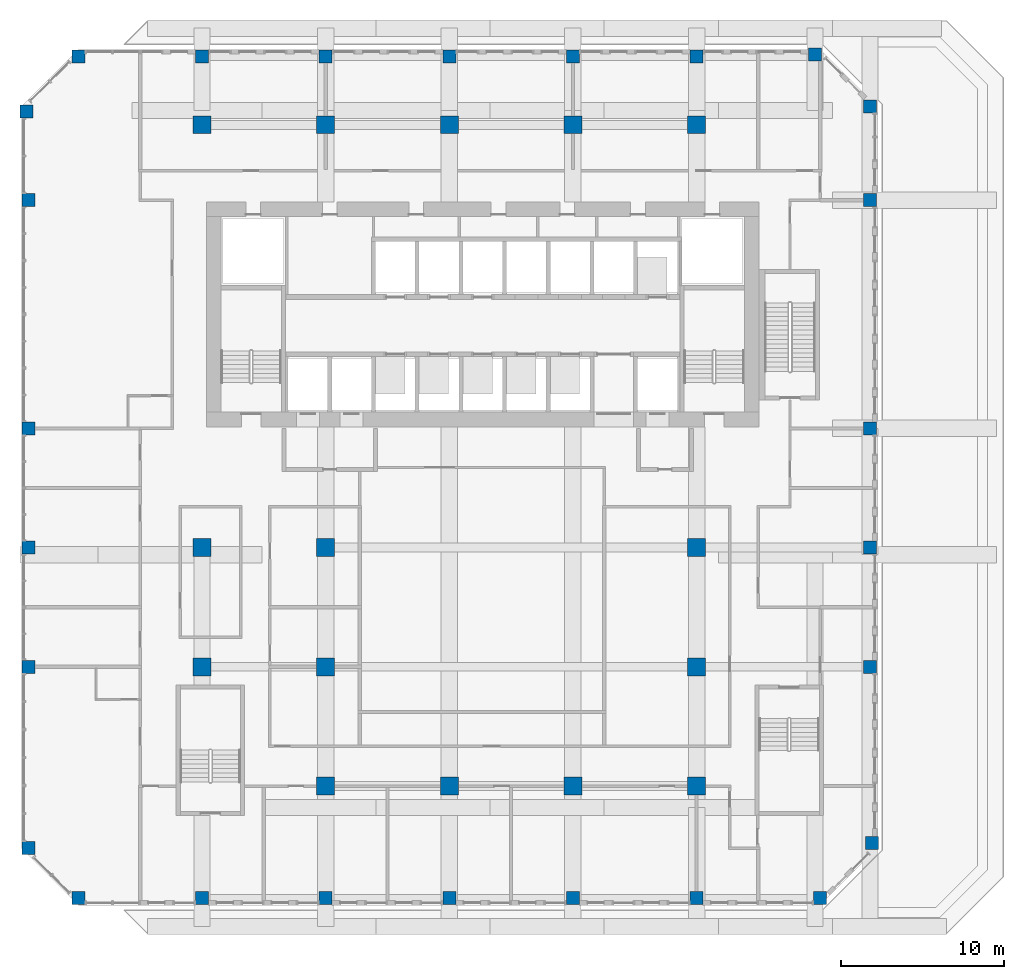
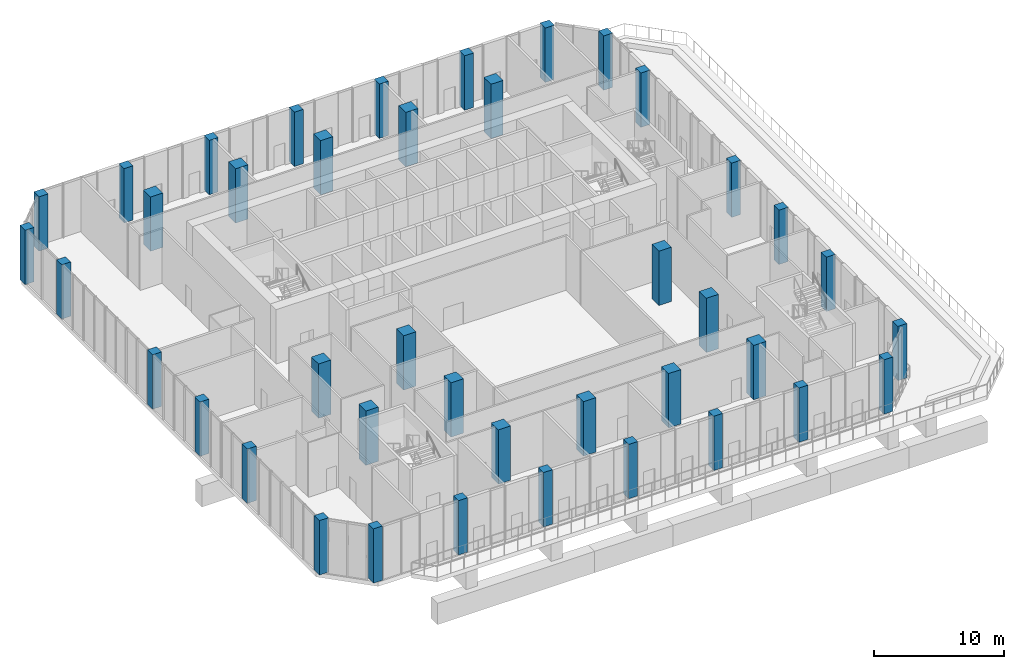
# One storey, part 1 of 19: 41 columns.
"""IFC4 building model written with IfcOpenShell, lengths in metres."""

from ifc_helpers import new_model, si_unit, direction, frame, origin, origin_2d, place, context, subcontext, project, spatial, rectangle, extrude, source, transform, mapped, material, material_profile, profile_set, type_object, element, save


model = new_model("IFC4")

# Units and contexts
model_context = context("Model", 3, precision=1e-05, world=origin(), true_north=direction((0.0, 1.0)))
body_context = subcontext(model_context, "Body", "Model", "MODEL_VIEW")
ifc_project = project(units=[si_unit("LENGTHUNIT", "METRE"), si_unit("AREAUNIT", "SQUARE_METRE"), si_unit("VOLUMEUNIT", "CUBIC_METRE"), si_unit("PLANEANGLEUNIT", "RADIAN"), si_unit("MASSUNIT", "GRAM", prefix="KILO")], contexts=[model_context])

# Site, building, storey
site_placement = place(None, origin())
site = spatial("IfcSite", under=ifc_project, at=site_placement, CompositionType="ELEMENT")
building_placement = place(site_placement, origin())
building = spatial("IfcBuilding", under=site, at=building_placement, Name="Kilnfold Tower and Market Hall", CompositionType="ELEMENT")
storey_placement = place(building_placement, frame((0.0, 0.0, 138.5)))
storey = spatial("IfcBuildingStorey", under=building, at=storey_placement, Name="L31", CompositionType="ELEMENT", Elevation=138.5)

# Columns
ifc_material_1 = material(Name="Concrete C70", Category="concrete")
ifc_material_profile_1 = material_profile(ifc_material_1, rectangle(XDim=0.800048828125, YDim=0.800048828125, at=origin_2d()), Name="RC 800x800")
ifc_profile_set_1 = profile_set([ifc_material_profile_1], Name="Concrete C70")
column_type_1 = type_object("IfcColumnType", Name="COLUMN 800X800 C70", PredefinedType="COLUMN", material=ifc_profile_set_1)
shared_shape_1 = source(origin(), body_context, "Body", "SweptSolid", [
    extrude(rectangle(XDim=0.800048828125, YDim=0.800048828125, at=origin_2d()), origin(), (0.0, 0.0, 1.0), 5.1201171875),
])
for number, where, z_axis, x_axis, name in (
    (1, (-26.931884765625, 27.431884765625, 0.0), (0.0, 0.0, 1.0), (1.0, 0.0, 0.0), "Column C-B4-1I"),
    (2, (-26.800048828125, -17.75, 0.0), (0.0, 0.0, 1.0), (1.0, 0.0, 0.0), "Column C-B4-1B"),
    (3, (-26.800048828125, -6.625, 0.0), (0.0, 0.0, 1.0), (1.0, 0.0, 0.0), "Column C-B4-1D"),
    (4, (-26.800048828125, 0.6875, 0.0), (0.0, 0.0, 1.0), (1.0, 0.0, 0.0), "Column C-B4-1E"),
    (5, (-26.800048828125, 8.0, 0.0), (0.0, 0.0, 1.0), (1.0, 0.0, 0.0), "Column C-B4-1F"),
    (6, (-26.800048828125, 22.0, 0.0), (0.0, 0.0, 1.0), (1.0, 0.0, 0.0), "Column C-B4-1G"),
    (7, (-23.75, -20.800048828125, 0.0), (0.0, 0.0, 1.0), (1.0, 0.0, 0.0), "Column C-B4-2A"),
    (8, (-23.75, 30.800048828125, 0.0), (0.0, 0.0, 1.0), (1.0, 0.0, 0.0), "Column C-B4-2J"),
    (9, (-16.166748046875, -20.800048828125, 0.0), (0.0, 0.0, 1.0), (1.0, 0.0, 0.0), "Column C-B4-3A"),
    (10, (-16.166748046875, 30.800048828125, 0.0), (0.0, 0.0, 1.0), (1.0, 0.0, 0.0), "Column C-B4-3J"),
    (11, (-8.583251953125, -20.800048828125, 0.0), (0.0, 0.0, 1.0), (1.0, 0.0, 0.0), "Column C-B4-4A"),
    (12, (-8.583251953125, 30.800048828125, 0.0), (0.0, 0.0, 1.0), (1.0, 0.0, 0.0), "Column C-B4-4J"),
    (13, (-1.0, -20.800048828125, 0.0), (0.0, 0.0, 1.0), (1.0, 0.0, 0.0), "Column C-B4-5A"),
    (14, (-1.0, 30.800048828125, 0.0), (0.0, 0.0, 1.0), (1.0, 0.0, 0.0), "Column C-B4-5J"),
    (15, (6.583251953125, -20.800048828125, 0.0), (0.0, 0.0, 1.0), (1.0, 0.0, 0.0), "Column C-B4-6A"),
    (16, (6.583251953125, 30.800048828125, 0.0), (0.0, 0.0, 1.0), (1.0, 0.0, 0.0), "Column C-B4-6J"),
    (17, (14.166748046875, -20.800048828125, 0.0), (0.0, 0.0, 1.0), (1.0, 0.0, 0.0), "Column C-B4-7A"),
    (18, (14.166748046875, 30.800048828125, 0.0), (0.0, 0.0, 1.0), (1.0, 0.0, 0.0), "Column C-B4-7J"),
    (19, (21.431884765625, 30.931884765625, 0.0), (0.0, 0.0, 1.0), (1.0, 0.0, 0.0), "Column C-B4-8J"),
    (20, (21.75, -20.800048828125, 0.0), (0.0, 0.0, 1.0), (1.0, 0.0, 0.0), "Column C-B4-8A"),
    (21, (24.800048828125, -6.625, 0.0), (0.0, 0.0, 1.0), (1.0, 0.0, 0.0), "Column C-B4-9D"),
    (22, (24.800048828125, 0.6875, 0.0), (0.0, 0.0, 1.0), (1.0, 0.0, 0.0), "Column C-B4-9E"),
    (23, (24.800048828125, 8.0, 0.0), (0.0, 0.0, 1.0), (1.0, 0.0, 0.0), "Column C-B4-9F"),
    (24, (24.800048828125, 22.0, 0.0), (0.0, 0.0, 1.0), (1.0, 0.0, 0.0), "Column C-B4-9G"),
    (25, (24.800048828125, 27.75, 0.0), (0.0, 0.0, 1.0), (1.0, 0.0, 0.0), "Column C-B4-9I"),
    (26, (24.931884765625, -17.431884765625, 0.0), (0.0, 0.0, 1.0), (1.0, 0.0, 0.0), "Column C-B4-9B"),
):
    element("IfcColumn", number, at=place(storey_placement, frame(where, z_axis=z_axis, x_axis=x_axis)), inside=storey, type_object=column_type_1, Name=name, PredefinedType="COLUMN", context=body_context, shape_type="MappedRepresentation", body=[
        mapped(shared_shape_1, transform((0.0, 0.0, 0.0))),
    ])
ifc_material_2 = material(Name="Concrete C70", Category="concrete")
ifc_material_profile_2 = material_profile(ifc_material_2, rectangle(XDim=1.10009765625, YDim=1.10009765625, at=origin_2d()), Name="RC 1100x1100")
ifc_profile_set_2 = profile_set([ifc_material_profile_2], Name="Concrete C70")
column_type_2 = type_object("IfcColumnType", Name="COLUMN 1100X1100 C70", PredefinedType="COLUMN", material=ifc_profile_set_2)
shared_shape_2 = source(origin(), body_context, "Body", "SweptSolid", [
    extrude(rectangle(XDim=1.10009765625, YDim=1.10009765625, at=origin_2d()), origin(), (0.0, 0.0, 1.0), 5.1201171875),
])
for number, where, z_axis, x_axis, name in (
    (27, (-16.166748046875, -6.625, 0.0), (0.0, 0.0, 1.0), (1.0, 0.0, 0.0), "Column C-B4-3D"),
    (28, (-16.166748046875, 0.6875, 0.0), (0.0, 0.0, 1.0), (1.0, 0.0, 0.0), "Column C-B4-3E"),
    (29, (-16.166748046875, 26.625, 0.0), (0.0, 0.0, 1.0), (1.0, 0.0, 0.0), "Column C-B4-3H"),
    (30, (-8.583251953125, -13.9375, 0.0), (0.0, 0.0, 1.0), (1.0, 0.0, 0.0), "Column C-B4-4C"),
    (31, (-8.583251953125, -6.625, 0.0), (0.0, 0.0, 1.0), (1.0, 0.0, 0.0), "Column C-B4-4D"),
    (32, (-8.583251953125, 0.6875, 0.0), (0.0, 0.0, 1.0), (1.0, 0.0, 0.0), "Column C-B4-4E"),
    (33, (-8.583251953125, 26.625, 0.0), (0.0, 0.0, 1.0), (1.0, 0.0, 0.0), "Column C-B4-4H"),
    (34, (-1.0, -13.9375, 0.0), (0.0, 0.0, 1.0), (1.0, 0.0, 0.0), "Column C-B4-5C"),
    (35, (-1.0, 26.625, 0.0), (0.0, 0.0, 1.0), (1.0, 0.0, 0.0), "Column C-B4-5H"),
    (36, (6.583251953125, -13.9375, 0.0), (0.0, 0.0, 1.0), (1.0, 0.0, 0.0), "Column C-B4-6C"),
    (37, (6.583251953125, 26.625, 0.0), (0.0, 0.0, 1.0), (1.0, 0.0, 0.0), "Column C-B4-6H"),
    (38, (14.166748046875, -13.9375, 0.0), (0.0, 0.0, 1.0), (1.0, 0.0, 0.0), "Column C-B4-7C"),
    (39, (14.166748046875, -6.625, 0.0), (0.0, 0.0, 1.0), (1.0, 0.0, 0.0), "Column C-B4-7D"),
    (40, (14.166748046875, 0.6875, 0.0), (0.0, 0.0, 1.0), (1.0, 0.0, 0.0), "Column C-B4-7E"),
    (41, (14.166748046875, 26.625, 0.0), (0.0, 0.0, 1.0), (1.0, 0.0, 0.0), "Column C-B4-7H"),
):
    element("IfcColumn", number, at=place(storey_placement, frame(where, z_axis=z_axis, x_axis=x_axis)), inside=storey, type_object=column_type_2, Name=name, PredefinedType="COLUMN", context=body_context, shape_type="MappedRepresentation", body=[
        mapped(shared_shape_2, transform((0.0, 0.0, 0.0))),
    ])

save(model, "model.ifc")
